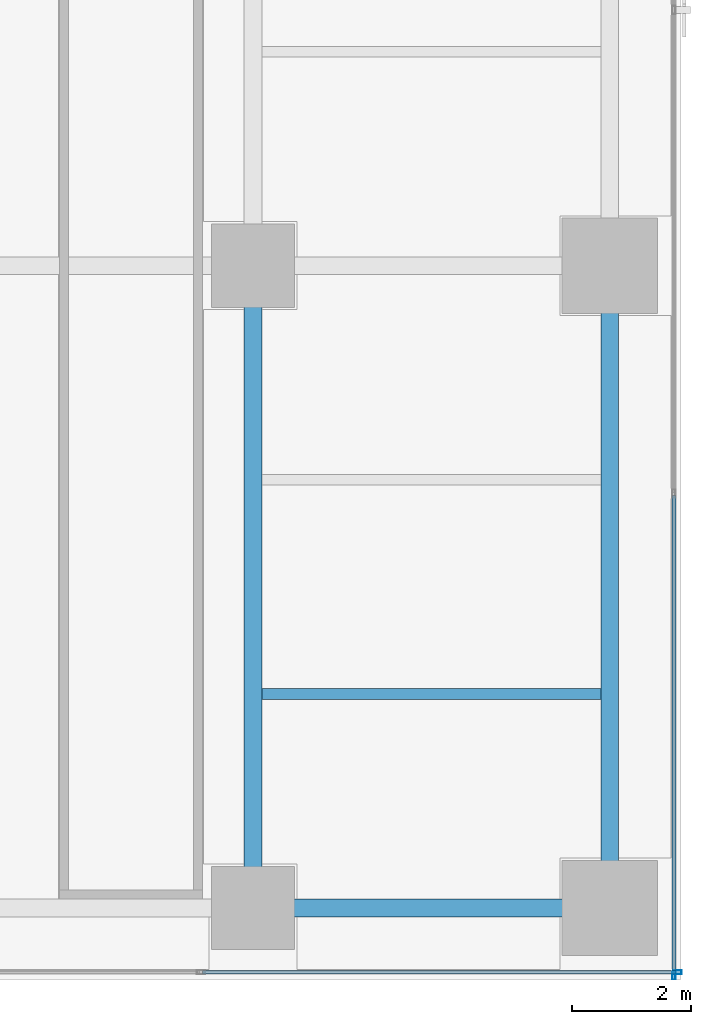
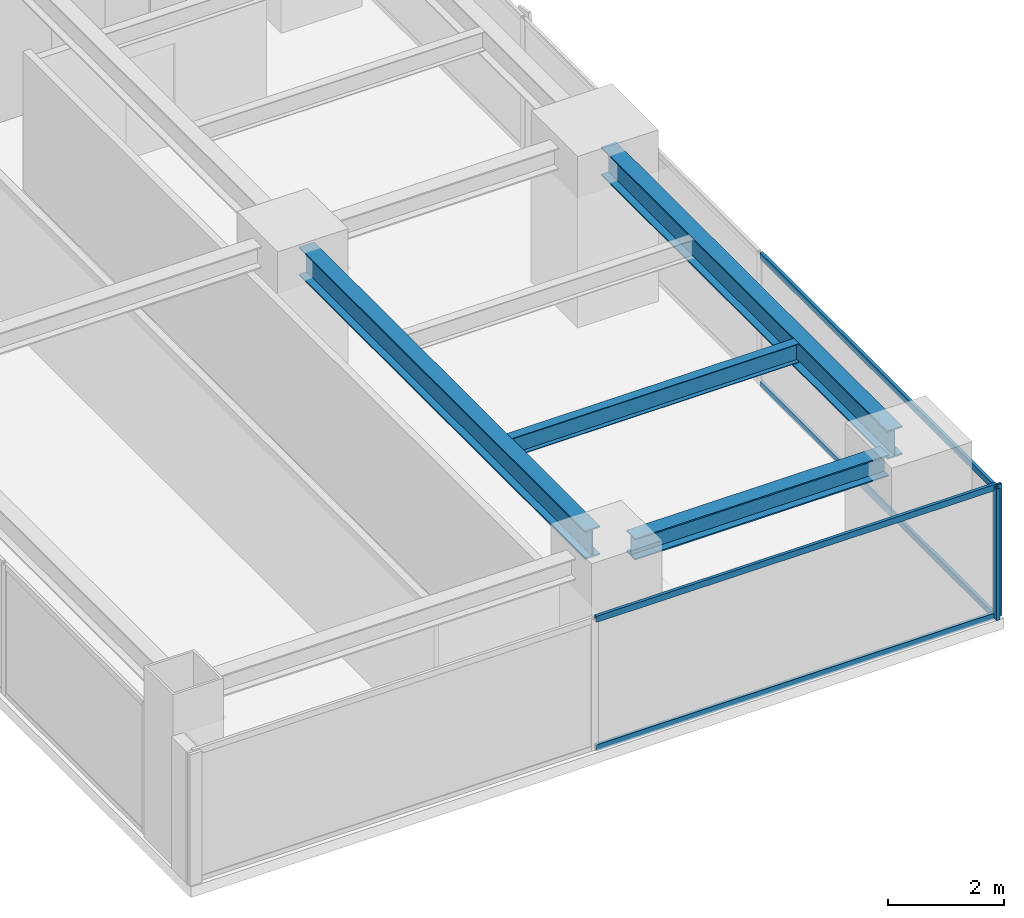
# One storey, part 13 of 28: 6 members, 4 beams, 2 elements without a shape of their own.
"""IFC4 building model written with IfcOpenShell, lengths in metres."""

from ifc_helpers import new_model, si_unit, direction, frame, origin, origin_2d, place, context, subcontext, project, spatial, hollow_rectangle, i_section, extrude, source, transform, mapped, material, layer, layer_set, material_profile, profile_set, type_object, element, aggregate, save


model = new_model("IFC4")

# Units and contexts
model_context = context("Model", 3, precision=1e-05, world=origin(), true_north=direction((0.0, 1.0)))
body_context = subcontext(model_context, "Body", "Model", "MODEL_VIEW")
ifc_project = project(units=[si_unit("LENGTHUNIT", "METRE"), si_unit("AREAUNIT", "SQUARE_METRE"), si_unit("VOLUMEUNIT", "CUBIC_METRE"), si_unit("PLANEANGLEUNIT", "RADIAN"), si_unit("MASSUNIT", "GRAM", prefix="KILO")], contexts=[model_context])

# Site, building, storey
site_placement = place(None, origin())
site = spatial("IfcSite", under=ifc_project, at=site_placement, CompositionType="ELEMENT")
building_placement = place(site_placement, origin())
building = spatial("IfcBuilding", under=site, at=building_placement, Name="Sumidabori Civic Tower", CompositionType="ELEMENT")
storey_placement = place(building_placement, frame((0.0, 0.0, 210.800048828125)))
storey = spatial("IfcBuildingStorey", under=building, at=storey_placement, Name="L54", CompositionType="ELEMENT", Elevation=210.800048828125)

# Beams
ifc_material_1 = material(Name="Steel SN490", Category="steel")
ifc_material_profile_1 = material_profile(ifc_material_1, i_section(OverallWidth=0.300048828125, OverallDepth=0.60009765625, WebThickness=0.015380859375, FlangeThickness=0.030029296875, at=origin_2d()), Name="HE 600 B")
ifc_profile_set_1 = profile_set([ifc_material_profile_1], Name="Steel SN490")
beam_type_1 = type_object("IfcBeamType", Name="BM-GIRD-600", PredefinedType="BEAM", material=ifc_profile_set_1)
shared_shape_1 = source(origin(), body_context, "Body", "SweptSolid", [
    extrude(i_section(OverallWidth=0.300048828125, OverallDepth=0.60009765625, WebThickness=0.015380859375, FlangeThickness=0.030029296875, at=origin_2d()), origin(), (0.0, 0.0, 1.0), 9.840087890625),
])
for number, where, z_axis, x_axis, name in (
    (1, (16.800048828125, -10.320068359375, 3.079833984375), (0.0, 1.0, 0.0), (-1.0, 0.0, 0.0), "Primary Girder L54 GY-19"),
    (2, (22.800048828125, -10.320068359375, 3.079833984375), (0.0, 1.0, 0.0), (-1.0, 0.0, 0.0), "Primary Girder L54 GY-22"),
):
    element("IfcBeam", number, at=place(storey_placement, frame(where, z_axis=z_axis, x_axis=x_axis)), inside=storey, type_object=beam_type_1, Name=name, PredefinedType="BEAM", context=body_context, shape_type="MappedRepresentation", body=[
        mapped(shared_shape_1, transform((0.0, 0.0, 0.0), x_axis=(1.0, 0.0, 0.0), y_axis=(0.0, 1.0, 0.0), z_axis=(0.0, 0.0, 1.0), scale=1.0)),
    ])
ifc_material_profile_2 = material_profile(ifc_material_1, i_section(OverallWidth=0.179931640625, OverallDepth=0.39990234375, WebThickness=0.008544921875, FlangeThickness=0.013427734375, at=origin_2d()), Name="IPE 400")
ifc_profile_set_2 = profile_set([ifc_material_profile_2], Name="Steel SN490")
beam_type_2 = type_object("IfcBeamType", Name="BM-JST-400", PredefinedType="JOIST", material=ifc_profile_set_2)
shared_shape_2 = source(origin(), body_context, "Body", "SweptSolid", [
    extrude(i_section(OverallWidth=0.179931640625, OverallDepth=0.39990234375, WebThickness=0.008544921875, FlangeThickness=0.013427734375, at=origin_2d()), origin(), (0.0, 0.0, 1.0), 5.699951171875),
])
beam_1_placement = place(storey_placement, frame((16.949951171875, -7.199951171875, 3.179931640625), z_axis=(1.0, 0.0, 0.0), x_axis=(0.0, 1.0, 0.0)))
element("IfcBeam", 3, at=beam_1_placement, inside=storey, type_object=beam_type_2, Name="Outer Bay Floor Joist L54 JSTO-26", PredefinedType="JOIST", context=body_context, shape_type="MappedRepresentation", body=[
    mapped(shared_shape_2, transform((0.0, 0.0, 0.0), x_axis=(1.0, 0.0, 0.0), y_axis=(0.0, 1.0, 0.0), z_axis=(0.0, 0.0, 1.0), scale=1.0)),
])
ifc_material_profile_3 = material_profile(ifc_material_1, i_section(OverallWidth=0.300048828125, OverallDepth=0.449951171875, WebThickness=0.013916015625, FlangeThickness=0.02587890625, at=origin_2d()), Name="HE 450 B")
ifc_profile_set_3 = profile_set([ifc_material_profile_3], Name="Steel SN490")
beam_type_3 = type_object("IfcBeamType", Name="BM-GIRD-450", PredefinedType="BEAM", material=ifc_profile_set_3)
shared_shape_3 = source(origin(), body_context, "Body", "SweptSolid", [
    extrude(i_section(OverallWidth=0.300048828125, OverallDepth=0.449951171875, WebThickness=0.013916015625, FlangeThickness=0.02587890625, at=origin_2d()), origin(), (0.0, 0.0, 1.0), 5.0400390625),
])
beam_2_placement = place(storey_placement, frame((17.280029296875, -10.800048828125, 3.155029296875), z_axis=(1.0, 0.0, 0.0), x_axis=(0.0, 1.0, 0.0)))
element("IfcBeam", 4, at=beam_2_placement, inside=storey, type_object=beam_type_3, Name="Primary Girder L54 GX-04", PredefinedType="BEAM", context=body_context, shape_type="MappedRepresentation", body=[
    mapped(shared_shape_3, transform((0.0, 0.0, 0.0), x_axis=(1.0, 0.0, 0.0), y_axis=(0.0, 1.0, 0.0), z_axis=(0.0, 0.0, 1.0), scale=1.0)),
])

# Curtain wall, member
ifc_material_2 = material(Name="Anodised Bronze Aluminium AW-6063-T6", Category="aluminium")
ifc_layer = layer(ifc_material_2, 0.179931640625, Name="Anodised Bronze Aluminium AW-6063-T6")
ifc_layer_set = layer_set([ifc_layer], Name="Anodised Bronze Aluminium AW-6063-T6")
curtain_wall_type = type_object("IfcCurtainWallType", Name="CW-SYS-5", PredefinedType="NOTDEFINED", material=ifc_layer_set)
curtain_wall_1_placement = place(storey_placement, origin())
curtain_wall_1 = element("IfcCurtainWall", 5, at=curtain_wall_1_placement, inside=storey, type_object=curtain_wall_type, Name="Curtain Wall CW:L54:R09", PredefinedType="NOTDEFINED")
ifc_material_profile_4 = material_profile(ifc_material_2, hollow_rectangle(XDim=0.06005859375, YDim=0.139892578125, WallThickness=0.0048828125, at=origin_2d()), Name="ALU MULLION 140x60")
ifc_profile_set_4 = profile_set([ifc_material_profile_4], Name="Anodised Bronze Aluminium AW-6063-T6")
member_type_1 = type_object("IfcMemberType", Name="CW-MUL-140", PredefinedType="MULLION", material=ifc_profile_set_4)
shared_shape_4 = source(origin(), body_context, "Body", "SweptSolid", [
    extrude(hollow_rectangle(XDim=0.06005859375, YDim=0.139892578125, WallThickness=0.0048828125, at=origin_2d()), origin(), (0.0, 0.0, 1.0), 2.760009765625),
])
member_1_placement = place(storey_placement, frame((23.93994140625, -11.8798828125, 0.0), z_axis=(0.0, 0.0, 1.0), x_axis=(0.0, 1.0, 0.0)))
member_1 = element("IfcMember", 6, at=member_1_placement, type_object=member_type_1, Name="CW-5 mullion 3", PredefinedType="MULLION", context=body_context, shape_type="MappedRepresentation", body=[
    mapped(shared_shape_4, transform((0.0, 0.0, 0.0), x_axis=(1.0, 0.0, 0.0), y_axis=(0.0, 1.0, 0.0), z_axis=(0.0, 0.0, 1.0), scale=1.0)),
])

curtain_wall_2_placement = place(storey_placement, origin())
curtain_wall_2 = element("IfcCurtainWall", 7, at=curtain_wall_2_placement, inside=storey, type_object=curtain_wall_type, Name="Curtain Wall CW:L54:R10", PredefinedType="NOTDEFINED")
member_2_placement = place(storey_placement, frame((23.8798828125, -11.93994140625, 0.0), z_axis=(0.0, 0.0, 1.0), x_axis=(-1.0, 0.0, 0.0)))
member_2 = element("IfcMember", 8, at=member_2_placement, type_object=member_type_1, Name="CW-5 mullion 1", PredefinedType="MULLION", context=body_context, shape_type="MappedRepresentation", body=[
    mapped(shared_shape_4, transform((0.0, 0.0, 0.0), x_axis=(1.0, 0.0, 0.0), y_axis=(0.0, 1.0, 0.0), z_axis=(0.0, 0.0, 1.0), scale=1.0)),
])

# Member
ifc_material_profile_5 = material_profile(ifc_material_2, hollow_rectangle(XDim=0.06005859375, YDim=0.1298828125, WallThickness=0.0048828125, at=origin_2d()), Name="ALU TRANSOM 130x60")
ifc_profile_set_5 = profile_set([ifc_material_profile_5], Name="Anodised Bronze Aluminium AW-6063-T6")
member_type_2 = type_object("IfcMemberType", Name="CW-TRN-130", PredefinedType="USERDEFINED", material=ifc_profile_set_5)
shared_shape_5 = source(origin(), body_context, "Body", "SweptSolid", [
    extrude(hollow_rectangle(XDim=0.06005859375, YDim=0.1298828125, WallThickness=0.0048828125, at=origin_2d()), origin(), (0.0, 0.0, 1.0), 7.954833984375),
])
member_3_placement = place(storey_placement, frame((15.955078125, -11.8798828125, 0.030029296875), z_axis=(1.0, 0.0, 0.0), x_axis=(0.0, 1.0, 0.0)))
member_3 = element("IfcMember", 9, at=member_3_placement, type_object=member_type_2, Name="CW-5 transom 2.1", ObjectType="TRANSOM", PredefinedType="USERDEFINED", context=body_context, shape_type="MappedRepresentation", body=[
    mapped(shared_shape_5, transform((0.0, 0.0, 0.0), x_axis=(1.0, 0.0, 0.0), y_axis=(0.0, 1.0, 0.0), z_axis=(0.0, 0.0, 1.0), scale=1.0)),
])

member_4_placement = place(storey_placement, frame((15.955078125, -11.8798828125, 2.72998046875), z_axis=(1.0, 0.0, 0.0), x_axis=(0.0, 1.0, 0.0)))
member_4 = element("IfcMember", 10, at=member_4_placement, type_object=member_type_2, Name="CW-5 transom 2.2", ObjectType="TRANSOM", PredefinedType="USERDEFINED", context=body_context, shape_type="MappedRepresentation", body=[
    mapped(shared_shape_5, transform((0.0, 0.0, 0.0), x_axis=(1.0, 0.0, 0.0), y_axis=(0.0, 1.0, 0.0), z_axis=(0.0, 0.0, 1.0), scale=1.0)),
])

aggregate(curtain_wall_1, [member_1, member_3, member_4])

shared_shape_6 = source(origin(), body_context, "Body", "SweptSolid", [
    extrude(hollow_rectangle(XDim=0.06005859375, YDim=0.1298828125, WallThickness=0.0048828125, at=origin_2d()), origin(), (0.0, 0.0, 1.0), 8.044921875),
])
member_5_placement = place(storey_placement, frame((23.8798828125, -11.909912109375, 0.030029296875), z_axis=(0.0, 1.0, 0.0), x_axis=(-1.0, 0.0, 0.0)))
member_5 = element("IfcMember", 11, at=member_5_placement, type_object=member_type_2, Name="CW-5 transom 1.1", ObjectType="TRANSOM", PredefinedType="USERDEFINED", context=body_context, shape_type="MappedRepresentation", body=[
    mapped(shared_shape_6, transform((0.0, 0.0, 0.0), x_axis=(1.0, 0.0, 0.0), y_axis=(0.0, 1.0, 0.0), z_axis=(0.0, 0.0, 1.0), scale=1.0)),
])

member_6_placement = place(storey_placement, frame((23.8798828125, -11.909912109375, 2.72998046875), z_axis=(0.0, 1.0, 0.0), x_axis=(-1.0, 0.0, 0.0)))
member_6 = element("IfcMember", 12, at=member_6_placement, type_object=member_type_2, Name="CW-5 transom 1.2", ObjectType="TRANSOM", PredefinedType="USERDEFINED", context=body_context, shape_type="MappedRepresentation", body=[
    mapped(shared_shape_6, transform((0.0, 0.0, 0.0), x_axis=(1.0, 0.0, 0.0), y_axis=(0.0, 1.0, 0.0), z_axis=(0.0, 0.0, 1.0), scale=1.0)),
])

aggregate(curtain_wall_2, [member_2, member_5, member_6])

save(model, "model.ifc")
